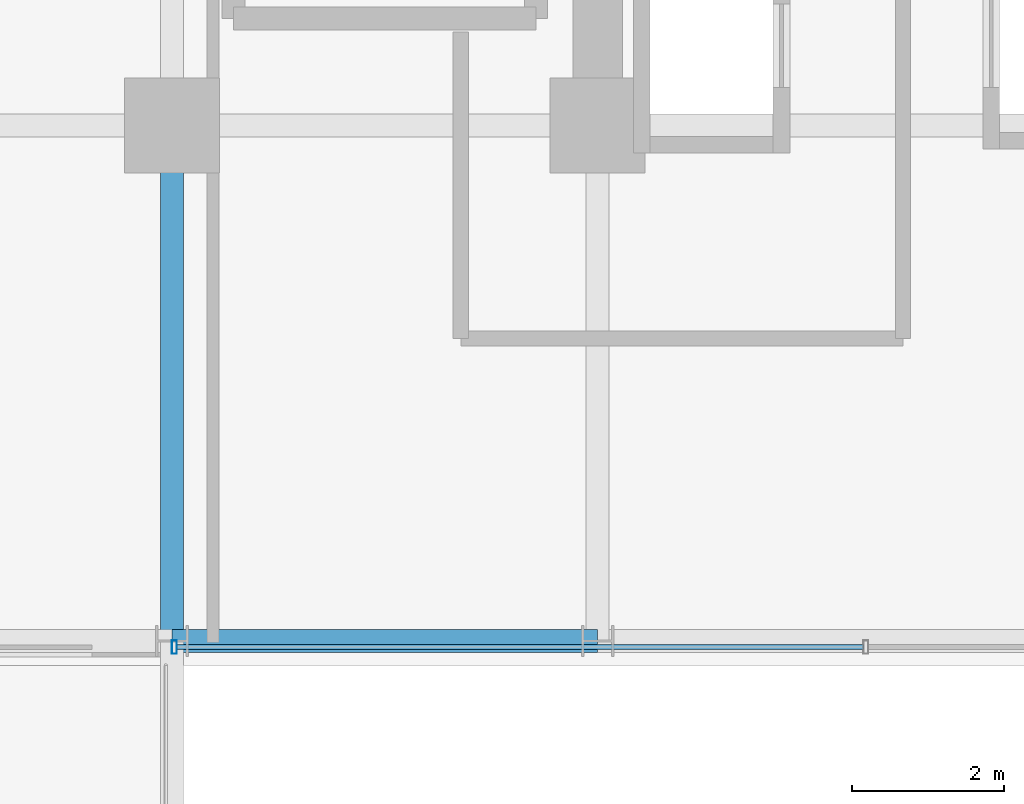
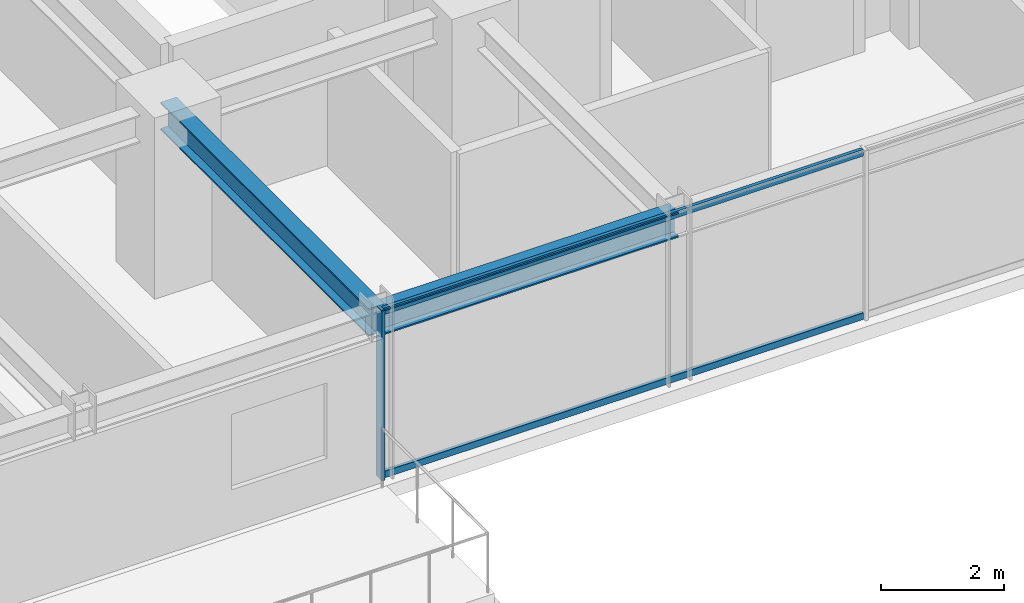
# One storey, part 5 of 33: 3 members, 2 beams, 1 element without a shape of its own.
"""IFC4 building model written with IfcOpenShell, lengths in metres."""

from ifc_helpers import new_model, si_unit, direction, frame, origin, origin_2d, place, context, subcontext, project, spatial, hollow_rectangle, i_section, extrude, source, transform, mapped, material, material_profile, profile_set, type_object, element, aggregate, save


model = new_model("IFC4")

# Units and contexts
model_context = context("Model", 3, precision=1e-05, world=origin(), true_north=direction((0.0, 1.0)))
body_context = subcontext(model_context, "Body", "Model", "MODEL_VIEW")
ifc_project = project(units=[si_unit("LENGTHUNIT", "METRE"), si_unit("AREAUNIT", "SQUARE_METRE"), si_unit("VOLUMEUNIT", "CUBIC_METRE"), si_unit("PLANEANGLEUNIT", "RADIAN"), si_unit("MASSUNIT", "GRAM", prefix="KILO")], contexts=[model_context])

# Site, building, storey
site_placement = place(None, origin())
site = spatial("IfcSite", under=ifc_project, at=site_placement, CompositionType="ELEMENT")
building_placement = place(site_placement, origin())
building = spatial("IfcBuilding", under=site, at=building_placement, Name="Nahalor Promenade Grand Hotel", CompositionType="ELEMENT")
storey_placement = place(building_placement, frame((0.0, 0.0, 117.5)))
storey = spatial("IfcBuildingStorey", under=building, at=storey_placement, Name="L29", CompositionType="ELEMENT", Elevation=117.5)

# Beams
ifc_material_1 = material(Name="Steel S355JR", Category="steel")
ifc_material_profile_1 = material_profile(ifc_material_1, i_section(OverallWidth=0.3, OverallDepth=0.5, WebThickness=0.0145, FlangeThickness=0.028, at=origin_2d()), Name="HEB 500")
ifc_profile_set_1 = profile_set([ifc_material_profile_1], Name="Steel S355JR")
beam_type_1 = type_object("IfcBeamType", Name="Beam-Spandrel-HEB500", PredefinedType="SPANDREL", material=ifc_profile_set_1)
shared_shape_1 = source(origin(), body_context, "Body", "SweptSolid", [
    extrude(i_section(OverallWidth=0.3, OverallDepth=0.5, WebThickness=0.0145, FlangeThickness=0.028, at=origin_2d()), origin(), (0.0, 0.0, 1.0), 5.599853515625),
])
beam_1_placement = place(storey_placement, frame((2.800048828125, -23.780029296875, 3.1298828125), z_axis=(1.0, 0.0, 0.0), x_axis=(0.0, 1.0, 0.0)))
element("IfcBeam", 1, at=beam_1_placement, inside=storey, type_object=beam_type_1, Name="BM-L29-SP-S-3", PredefinedType="SPANDREL", context=body_context, shape_type="MappedRepresentation", body=[
    mapped(shared_shape_1, transform((0.0, 0.0, 0.0), scale=1.0)),
])
ifc_material_profile_2 = material_profile(ifc_material_1, i_section(OverallWidth=0.3, OverallDepth=0.55, WebThickness=0.015, FlangeThickness=0.029, at=origin_2d()), Name="HEB 550")
ifc_profile_set_2 = profile_set([ifc_material_profile_2], Name="Steel S355JR")
beam_type_2 = type_object("IfcBeamType", Name="Beam-Girder-HEB550", PredefinedType="BEAM", material=ifc_profile_set_2)
shared_shape_2 = source(origin(), body_context, "Body", "SweptSolid", [
    extrude(i_section(OverallWidth=0.3, OverallDepth=0.55, WebThickness=0.015, FlangeThickness=0.029, at=origin_2d()), origin(), (0.0, 0.0, 1.0), 6.780029296875),
])
beam_2_placement = place(storey_placement, frame((2.800048828125, -23.780029296875, 3.10498046875), z_axis=(0.0, 1.0, 0.0), x_axis=(-1.0, 0.0, 0.0)))
element("IfcBeam", 2, at=beam_2_placement, inside=storey, type_object=beam_type_2, Name="BM-L29-GY-3-0", PredefinedType="BEAM", context=body_context, shape_type="MappedRepresentation", body=[
    mapped(shared_shape_2, transform((0.0, 0.0, 0.0), scale=1.0)),
])

# Curtain wall, members
ifc_material_2 = material(Name="Anodised Bronze Aluminium EN AW-6063 T6", Category="aluminium")
curtain_wall_type = type_object("IfcCurtainWallType", Name="CW2 Typical Hotel Flush Bronze Unitised Curtain Wall", PredefinedType="USERDEFINED", material=ifc_material_2)
curtain_wall_placement = place(storey_placement, origin())
curtain_wall = element("IfcCurtainWall", 3, at=curtain_wall_placement, inside=storey, type_object=curtain_wall_type, Name="L29 Curtain Wall CW-L29-S-3", ObjectType="UNITISED_CURTAIN_WALL", PredefinedType="USERDEFINED")
ifc_material_profile_3 = material_profile(ifc_material_2, hollow_rectangle(XDim=0.065, YDim=0.18, WallThickness=0.004, at=origin_2d()), Name="CWM 65x180x4")
ifc_profile_set_3 = profile_set([ifc_material_profile_3], Name="Anodised Bronze Aluminium EN AW-6063 T6")
member_type_1 = type_object("IfcMemberType", Name="CWM2 Typical Bronze Mullion 65x180", PredefinedType="MULLION", material=ifc_profile_set_3)
shared_shape_3 = source(origin(), body_context, "Body", "SweptSolid", [
    extrude(hollow_rectangle(XDim=0.065, YDim=0.18, WallThickness=0.004, at=origin_2d()), origin(), (0.0, 0.0, 1.0), 3.3798828125),
])
member_1_placement = place(storey_placement, frame((2.83251953125, -23.860107421875, 0.0), z_axis=(0.0, 0.0, 1.0), x_axis=(1.0, 0.0, 0.0)))
member_1 = element("IfcMember", 4, at=member_1_placement, type_object=member_type_1, Name="CW-L29-S-3 Mullion 0", PredefinedType="MULLION", context=body_context, shape_type="MappedRepresentation", body=[
    mapped(shared_shape_3, transform((0.0, 0.0, 0.0), scale=1.0)),
])
ifc_material_profile_4 = material_profile(ifc_material_2, hollow_rectangle(XDim=0.065, YDim=0.13, WallThickness=0.004, at=origin_2d()), Name="CWT 65x130x4")
ifc_profile_set_4 = profile_set([ifc_material_profile_4], Name="Anodised Bronze Aluminium EN AW-6063 T6")
member_type_2 = type_object("IfcMemberType", Name="CWT2 Typical Bronze Transom 65x130", PredefinedType="USERDEFINED", material=ifc_profile_set_4)
shared_shape_4 = source(origin(), body_context, "Body", "SweptSolid", [
    extrude(hollow_rectangle(XDim=0.065, YDim=0.13, WallThickness=0.004, at=origin_2d()), origin(), (0.0, 0.0, 1.0), 9.032470703125),
])
member_2_placement = place(storey_placement, frame((2.864990234375, -23.860107421875, 0.06494140625), z_axis=(1.0, 0.0, 0.0), x_axis=(0.0, 1.0, 0.0)))
member_2 = element("IfcMember", 5, at=member_2_placement, type_object=member_type_2, Name="CW-L29-S-3 Transom 0-0", ObjectType="TRANSOM", PredefinedType="USERDEFINED", context=body_context, shape_type="MappedRepresentation", body=[
    mapped(shared_shape_4, transform((0.0, 0.0, 0.0), scale=1.0)),
])
member_3_placement = place(storey_placement, frame((2.864990234375, -23.860107421875, 3.31494140625), z_axis=(1.0, 0.0, 0.0), x_axis=(0.0, 1.0, 0.0)))
member_3 = element("IfcMember", 6, at=member_3_placement, type_object=member_type_2, Name="CW-L29-S-3 Transom 0-1", ObjectType="TRANSOM", PredefinedType="USERDEFINED", context=body_context, shape_type="MappedRepresentation", body=[
    mapped(shared_shape_4, transform((0.0, 0.0, 0.0), scale=1.0)),
])
aggregate(curtain_wall, [member_1, member_2, member_3])

save(model, "model.ifc")
